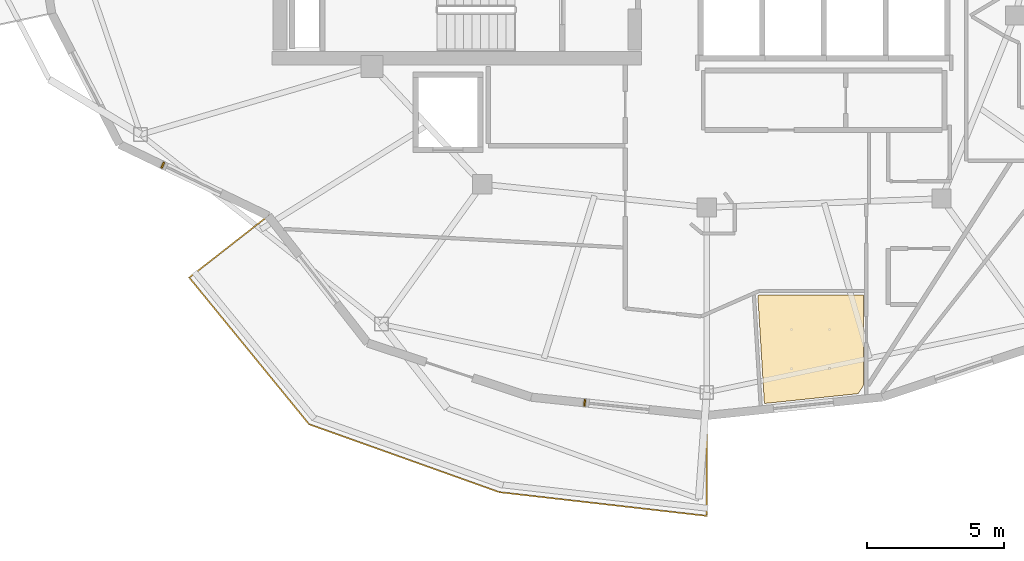
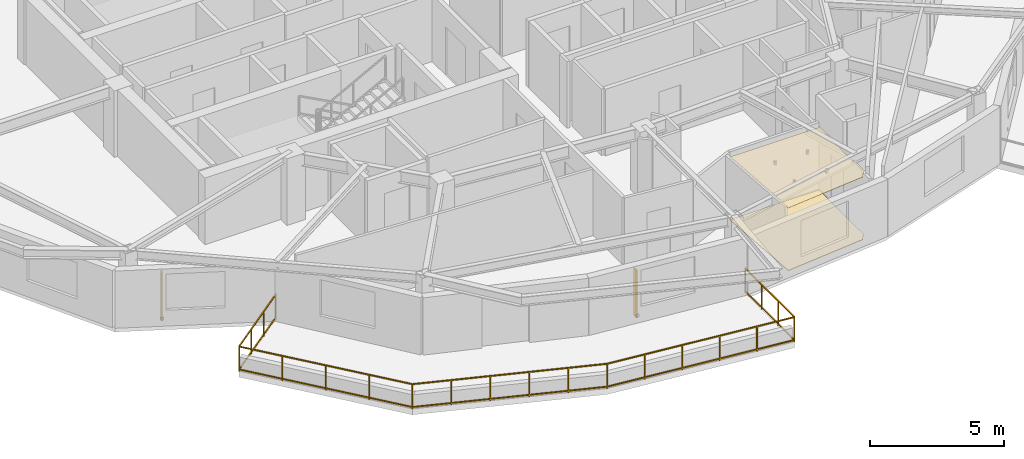
# One storey, part 10 of 14: 2 coverings, 2 shading devices, 1 railing.
"""IFC4 building model written with IfcOpenShell, lengths in metres."""

from ifc_helpers import new_model, si_unit, direction, frame, origin, origin_2d, place, context, subcontext, project, spatial, polyline, rectangle, outline, extrude, material, layer, layer_set, type_object, element, save


model = new_model("IFC4")

# Units and contexts
model_context = context("Model", 3, precision=1e-05, world=origin(), true_north=direction((0.0, 1.0)))
body_context = subcontext(model_context, "Body", "Model", "MODEL_VIEW")
ifc_project = project(units=[si_unit("LENGTHUNIT", "METRE"), si_unit("AREAUNIT", "SQUARE_METRE"), si_unit("VOLUMEUNIT", "CUBIC_METRE"), si_unit("PLANEANGLEUNIT", "RADIAN"), si_unit("MASSUNIT", "GRAM", prefix="KILO")], contexts=[model_context])

# Site, building, storey
site_placement = place(None, origin())
site = spatial("IfcSite", under=ifc_project, at=site_placement, CompositionType="ELEMENT")
building_placement = place(site_placement, origin())
building = spatial("IfcBuilding", under=site, at=building_placement, Name="Kolvaren Gate Tower and Convention Centre", CompositionType="ELEMENT")
storey_placement = place(building_placement, frame((0.0, 0.0, 209.60009765625)))
storey = spatial("IfcBuildingStorey", under=building, at=storey_placement, Name="L55", CompositionType="ELEMENT", Elevation=209.60009765625)

# Coverings
ifc_material_1 = material(Name="Perforated Mineral-Fibre Acoustic Ceiling Tile 18 mm", Category="gypsum")
ifc_layer_1 = layer(ifc_material_1, 0.01806640625)
ifc_layer_set_1 = layer_set([ifc_layer_1], Name="Perforated Mineral-Fibre Acoustic Ceiling Tile 18 mm")
covering_type_1 = type_object("IfcCoveringType", Name="ARCH-COV-CEIL-18", PredefinedType="CEILING", material=ifc_layer_set_1)
covering_1_placement = place(storey_placement, frame((0.0, 0.0, 2.849853515625)))
element("IfcCovering", 1, at=covering_1_placement, inside=storey, type_object=covering_type_1, Name="Apartment Bedroom (APT-L55-01) Acoustic Suspended Ceiling", PredefinedType="CEILING", context=body_context, shape_type="SweptSolid", body=[
    extrude(outline(polyline([(31.989013671875, 11.576904296875), (32.06298828125, 11.610107421875), (35.843994140625, 11.610107421875), (35.843994140625, 8.302978515625), (35.652099609375, 8.0029296875), (32.22998046875, 7.64306640625), (31.989013671875, 11.576904296875)])), origin(), (0.0, 0.0, 1.0), 0.01806640625),
])
ifc_material_2 = material(Name="FSC Andean Oak Engineered Parquet Flooring 22 mm", Category="wood")
ifc_layer_2 = layer(ifc_material_2, 0.02197265625)
ifc_layer_set_2 = layer_set([ifc_layer_2], Name="FSC Andean Oak Engineered Parquet Flooring 22 mm")
covering_type_2 = type_object("IfcCoveringType", Name="ARCH-COV-WOOD-22", PredefinedType="FLOORING", material=ifc_layer_set_2)
covering_2_placement = place(storey_placement, origin())
element("IfcCovering", 2, at=covering_2_placement, inside=storey, type_object=covering_type_2, Name="Apartment Bedroom (APT-L55-01) Interior Finish Flooring", PredefinedType="FLOORING", context=body_context, shape_type="SweptSolid", body=[
    extrude(outline(polyline([(31.989013671875, 11.576904296875), (32.06298828125, 11.610107421875), (35.843994140625, 11.610107421875), (35.843994140625, 8.302978515625), (35.652099609375, 8.0029296875), (32.22998046875, 7.64306640625), (31.989013671875, 11.576904296875)])), origin(), (0.0, 0.0, 1.0), 0.02197265625),
])

# Railing
ifc_material_3 = material(Name="Brushed Stainless Steel Grade 316L", Category="steel")
railing_type = type_object("IfcRailingType", Name="ARCH-RL-GUARD-1150", PredefinedType="GUARDRAIL", material=ifc_material_3)
railing_placement = place(storey_placement, frame((14.117431640625, 14.49267578125, 0.0)))
element("IfcRailing", 3, at=railing_placement, inside=storey, type_object=railing_type, Name="Tower L55 Terrace Perimeter Guardrail GR-3", PredefinedType="GUARDRAIL", context=body_context, shape_type="SweptSolid", body=[
    extrude(rectangle(XDim=0.048095703125, YDim=0.048095703125, at=origin_2d()), frame((-0.022216796875, -0.017333984375, 1.1259765625), z_axis=(-0.787988976981, -0.61568934712, 0.0), x_axis=(0.61568934712, -0.787988976981, 0.0)), (0.0, 0.0, 1.0), 3.60400390625),
    extrude(rectangle(XDim=0.048095703125, YDim=0.048095703125, at=origin_2d()), frame((-0.022216796875, -0.017333984375, 0.083984375), z_axis=(-0.787988976981, -0.61568934712, 0.0), x_axis=(0.61568934712, -0.787988976981, 0.0)), (0.0, 0.0, 1.0), 3.60400390625),
    extrude(rectangle(XDim=0.048095703125, YDim=0.048095703125, at=origin_2d()), frame((-2.8662109375, -2.275146484375, 1.1259765625), z_axis=(0.632718487063, -0.77438189295, 0.0), x_axis=(0.77438189295, 0.632718487063, 0.0)), (0.0, 0.0, 1.0), 6.858154296875),
    extrude(rectangle(XDim=0.048095703125, YDim=0.048095703125, at=origin_2d()), frame((-2.8662109375, -2.275146484375, 0.083984375), z_axis=(0.632718487063, -0.77438189295, 0.0), x_axis=(0.77438189295, 0.632718487063, 0.0)), (0.0, 0.0, 1.0), 6.858154296875),
    extrude(rectangle(XDim=0.048095703125, YDim=0.048095703125, at=origin_2d()), frame((1.51708984375, -7.6171875, 1.1259765625), z_axis=(0.941783827204, -0.336219010197, 0.0), x_axis=(0.336219010197, 0.941783827204, 0.0)), (0.0, 0.0, 1.0), 7.322265625),
    extrude(rectangle(XDim=0.048095703125, YDim=0.048095703125, at=origin_2d()), frame((1.51708984375, -7.6171875, 0.083984375), z_axis=(0.941783827204, -0.336219010197, 0.0), x_axis=(0.336219010197, 0.941783827204, 0.0)), (0.0, 0.0, 1.0), 7.322265625),
    extrude(rectangle(XDim=0.048095703125, YDim=0.048095703125, at=origin_2d()), frame((8.46728515625, -10.091552734375, 1.1259765625), z_axis=(0.993542586276, -0.113459813395, 0.0), x_axis=(0.113459813395, 0.993542586276, 0.0)), (0.0, 0.0, 1.0), 7.561279296875),
    extrude(rectangle(XDim=0.048095703125, YDim=0.048095703125, at=origin_2d()), frame((8.46728515625, -10.091552734375, 0.083984375), z_axis=(0.993542586276, -0.113459813395, 0.0), x_axis=(0.113459813395, 0.993542586276, 0.0)), (0.0, 0.0, 1.0), 7.561279296875),
    extrude(rectangle(XDim=0.048095703125, YDim=0.048095703125, at=origin_2d()), frame((16.007568359375, -10.924560546875, 1.1259765625), z_axis=(0.0, 1.0, 0.0), x_axis=(-1.0, 0.0, 0.0)), (0.0, 0.0, 1.0), 3.603759765625),
    extrude(rectangle(XDim=0.048095703125, YDim=0.048095703125, at=origin_2d()), frame((16.007568359375, -10.924560546875, 0.083984375), z_axis=(0.0, 1.0, 0.0), x_axis=(-1.0, 0.0, 0.0)), (0.0, 0.0, 1.0), 3.603759765625),
    extrude(rectangle(XDim=0.0419921875, YDim=0.0419921875, at=origin_2d()), origin(), (0.0, 0.0, 1.0), 1.14990234375),
    extrude(rectangle(XDim=0.0419921875, YDim=0.0419921875, at=origin_2d()), frame((-2.884033203125, -2.25341796875, 0.0)), (0.0, 0.0, 1.0), 1.14990234375),
    extrude(rectangle(XDim=0.0419921875, YDim=0.0419921875, at=origin_2d()), frame((-0.96142578125, -0.751220703125, 0.0)), (0.0, 0.0, 1.0), 1.099853515625),
    extrude(rectangle(XDim=0.0419921875, YDim=0.0419921875, at=origin_2d()), frame((-1.922607421875, -1.502197265625, 0.0)), (0.0, 0.0, 1.0), 1.099853515625),
    extrude(rectangle(XDim=0.0419921875, YDim=0.0419921875, at=origin_2d()), frame((1.49072265625, -7.607666015625, 0.0)), (0.0, 0.0, 1.0), 1.14990234375),
    extrude(rectangle(XDim=0.0419921875, YDim=0.0419921875, at=origin_2d()), frame((-1.790283203125, -3.592041015625, 0.0)), (0.0, 0.0, 1.0), 1.099853515625),
    extrude(rectangle(XDim=0.0419921875, YDim=0.0419921875, at=origin_2d()), frame((-0.69677734375, -4.9306640625, 0.0)), (0.0, 0.0, 1.0), 1.099853515625),
    extrude(rectangle(XDim=0.0419921875, YDim=0.0419921875, at=origin_2d()), frame((0.39697265625, -6.26904296875, 0.0)), (0.0, 0.0, 1.0), 1.099853515625),
    extrude(rectangle(XDim=0.0419921875, YDim=0.0419921875, at=origin_2d()), frame((8.439453125, -10.08837890625, 0.0)), (0.0, 0.0, 1.0), 1.14990234375),
    extrude(rectangle(XDim=0.0419921875, YDim=0.0419921875, at=origin_2d()), frame((2.88037109375, -8.103759765625, 0.0)), (0.0, 0.0, 1.0), 1.099853515625),
    extrude(rectangle(XDim=0.0419921875, YDim=0.0419921875, at=origin_2d()), frame((4.270263671875, -8.599853515625, 0.0)), (0.0, 0.0, 1.0), 1.099853515625),
    extrude(rectangle(XDim=0.0419921875, YDim=0.0419921875, at=origin_2d()), frame((5.659912109375, -9.09619140625, 0.0)), (0.0, 0.0, 1.0), 1.099853515625),
    extrude(rectangle(XDim=0.0419921875, YDim=0.0419921875, at=origin_2d()), frame((7.0498046875, -9.59228515625, 0.0)), (0.0, 0.0, 1.0), 1.099853515625),
    extrude(rectangle(XDim=0.0419921875, YDim=0.0419921875, at=origin_2d()), frame((16.007568359375, -10.95263671875, 0.0)), (0.0, 0.0, 1.0), 1.14990234375),
    extrude(rectangle(XDim=0.0419921875, YDim=0.0419921875, at=origin_2d()), frame((9.953125, -10.26123046875, 0.0)), (0.0, 0.0, 1.0), 1.099853515625),
    extrude(rectangle(XDim=0.0419921875, YDim=0.0419921875, at=origin_2d()), frame((11.466796875, -10.43408203125, 0.0)), (0.0, 0.0, 1.0), 1.099853515625),
    extrude(rectangle(XDim=0.0419921875, YDim=0.0419921875, at=origin_2d()), frame((12.980224609375, -10.60693359375, 0.0)), (0.0, 0.0, 1.0), 1.099853515625),
    extrude(rectangle(XDim=0.0419921875, YDim=0.0419921875, at=origin_2d()), frame((14.493896484375, -10.77978515625, 0.0)), (0.0, 0.0, 1.0), 1.099853515625),
    extrude(rectangle(XDim=0.0419921875, YDim=0.0419921875, at=origin_2d()), frame((16.007568359375, -7.292724609375, 0.0)), (0.0, 0.0, 1.0), 1.14990234375),
    extrude(rectangle(XDim=0.0419921875, YDim=0.0419921875, at=origin_2d()), frame((16.007568359375, -9.732666015625, 0.0)), (0.0, 0.0, 1.0), 1.099853515625),
    extrude(rectangle(XDim=0.0419921875, YDim=0.0419921875, at=origin_2d()), frame((16.007568359375, -8.5126953125, 0.0)), (0.0, 0.0, 1.0), 1.099853515625),
])

# Shading devices
ifc_material_4 = material(Name="Kiln-Fired Bogota Terracotta Ceramic Louvre Profile", Category="masonry")
shading_device_type = type_object("IfcShadingDeviceType", Name="ARCH-SHD-FIN-180", PredefinedType="JALOUSIE", material=ifc_material_4)
for number, where, z_axis, x_axis, name in (
    (4, (10.268310546875, 16.342041015625, 0.219970703125), (0.0, 0.0, 1.0), (0.90135914581, -0.433072384555, 0.0), "Ceramic Vertical Brise-Soleil Fin FN-L55-14"),
    (5, (25.66943359375, 7.669189453125, 0.219970703125), (0.0, 0.0, 1.0), (0.994498884311, -0.104747167526, 0.0), "Ceramic Vertical Brise-Soleil Fin FN-L55-17"),
):
    element("IfcShadingDevice", number, at=place(storey_placement, frame(where, z_axis=z_axis, x_axis=x_axis)), inside=storey, type_object=shading_device_type, Name=name, PredefinedType="JALOUSIE", context=body_context, shape_type="SweptSolid", body=[
        extrude(rectangle(XDim=0.06005859375, YDim=0.239990234375, at=origin_2d()), origin(), (0.0, 0.0, 1.0), 2.14990234375),
    ])

save(model, "model.ifc")
